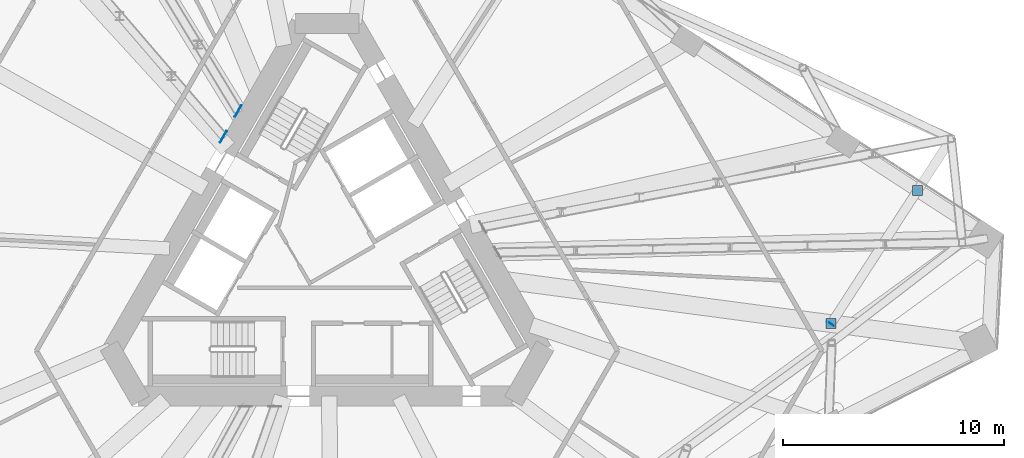
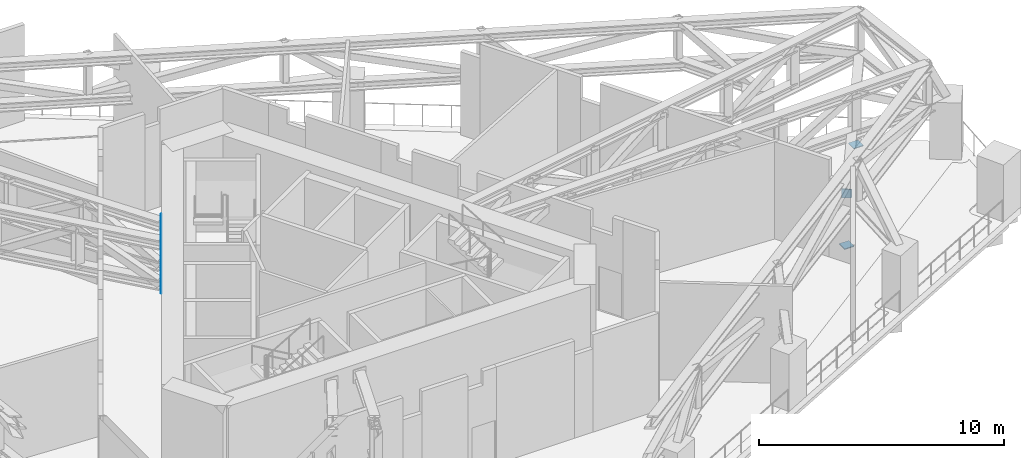
# One storey, part 20 of 26: 7 discrete accessories.
"""IFC4 building model written with IfcOpenShell, lengths in metres."""

from ifc_helpers import new_model, si_unit, direction, frame, origin, origin_2d, place, context, subcontext, project, spatial, rectangle, extrude, material, layer, layer_set, type_object, element, save


model = new_model("IFC4")

# Units and contexts
model_context = context("Model", 3, precision=1e-05, world=origin(), true_north=direction((0.0, 1.0)))
body_context = subcontext(model_context, "Body", "Model", "MODEL_VIEW")
ifc_project = project(units=[si_unit("LENGTHUNIT", "METRE"), si_unit("AREAUNIT", "SQUARE_METRE"), si_unit("VOLUMEUNIT", "CUBIC_METRE"), si_unit("PLANEANGLEUNIT", "RADIAN"), si_unit("MASSUNIT", "GRAM", prefix="KILO")], contexts=[model_context])

# Site, building, storey
site_placement = place(None, origin())
site = spatial("IfcSite", under=ifc_project, at=site_placement, CompositionType="ELEMENT")
building_placement = place(site_placement, origin())
building = spatial("IfcBuilding", under=site, at=building_placement, Name="Tramontana Tower", CompositionType="ELEMENT")
storey_placement = place(building_placement, frame((0.0, 0.0, 157.60009765625)))
storey = spatial("IfcBuildingStorey", under=building, at=storey_placement, Name="L36", CompositionType="ELEMENT", Elevation=157.60009765625)

# Discrete accessories
ifc_material_1 = material(Name="Steel ASTM A572 Grade 50", Category="steel")
ifc_layer_1 = layer(ifc_material_1, 0.0400390625)
ifc_layer_set_1 = layer_set([ifc_layer_1], Name="Base plate 450X450X40")
discrete_accessory_type_1 = type_object("IfcDiscreteAccessoryType", Name="Base plate 450X450X40", PredefinedType="ANCHORPLATE", material=ifc_layer_set_1)
for number, where, z_axis, x_axis, name in (
    (1, (26.68896484375, 2.997802734375, 0.0), (0.0, 0.0, 1.0), (1.0, 0.0, 0.0), "Transfer truss post base plate C4K5.1"),
    (2, (22.779541015625, -3.02197265625, 0.0), (0.0, 0.0, 1.0), (1.0, 0.0, 0.0), "Transfer truss post base plate C4K5.2"),
):
    element("IfcDiscreteAccessory", number, at=place(storey_placement, frame(where, z_axis=z_axis, x_axis=x_axis)), inside=storey, type_object=discrete_accessory_type_1, Name=name, PredefinedType="ANCHORPLATE", context=body_context, shape_type="SweptSolid", body=[
        extrude(rectangle(XDim=0.449951171875, YDim=0.449951171875, at=origin_2d()), origin(), (0.0, 0.0, 1.0), 0.0400390625),
    ])
ifc_material_2 = material(Name="Steel ASTM A572 Grade 50", Category="steel")
ifc_layer_2 = layer(ifc_material_2, 0.0400390625)
ifc_layer_set_2 = layer_set([ifc_layer_2], Name="Cast-in plate 600X650X40")
discrete_accessory_type_2 = type_object("IfcDiscreteAccessoryType", Name="Cast-in plate 600X650X40", PredefinedType="ANCHORPLATE", material=ifc_layer_set_2)
for number, where, z_axis, x_axis, name in (
    (3, (-4.013916015625, 6.58740234375, 2.29248046875), (0.0, 0.0, 1.0), (-0.5, -0.866025403784, 0.0), "Cast-in plate Transfer truss 5 bottom chord"),
    (4, (-4.013916015625, 6.58740234375, 4.307373046875), (0.0, 0.0, 1.0), (-0.5, -0.866025403784, 0.0), "Cast-in plate Transfer truss 5 top chord"),
    (5, (-4.68212890625, 5.430419921875, 2.29248046875), (0.0, 0.0, 1.0), (-0.5, -0.866025403784, 0.0), "Cast-in plate Transfer truss 6 bottom chord"),
    (6, (-4.68212890625, 5.430419921875, 4.307373046875), (0.0, 0.0, 1.0), (-0.5, -0.866025403784, 0.0), "Cast-in plate Transfer truss 6 top chord"),
):
    element("IfcDiscreteAccessory", number, at=place(storey_placement, frame(where, z_axis=z_axis, x_axis=x_axis)), inside=storey, type_object=discrete_accessory_type_2, Name=name, PredefinedType="ANCHORPLATE", context=body_context, shape_type="SweptSolid", body=[
        extrude(rectangle(XDim=0.60009765625, YDim=0.0400390625, at=origin_2d()), origin(), (0.0, 0.0, 1.0), 0.64990234375),
    ])
ifc_material_3 = material(Name="Steel ASTM A572 Grade 50", Category="steel")
ifc_layer_3 = layer(ifc_material_3, 0.0400390625)
ifc_layer_set_3 = layer_set([ifc_layer_3], Name="End plate 413X435X40")
discrete_accessory_type_3 = type_object("IfcDiscreteAccessoryType", Name="End plate 413X435X40", PredefinedType="ANCHORPLATE", material=ifc_layer_set_3)
discrete_accessory_placement = place(storey_placement, frame((22.768798828125, -3.038818359375, 2.39990234375), z_axis=(0.0, 0.0, 1.0), x_axis=(-0.838670567945, 0.544639035015, 0.0)))
element("IfcDiscreteAccessory", 7, at=discrete_accessory_placement, inside=storey, type_object=discrete_accessory_type_3, Name="Transfer truss girder end plate C4K5.2", PredefinedType="ANCHORPLATE", context=body_context, shape_type="SweptSolid", body=[
    extrude(rectangle(XDim=0.412841796875, YDim=0.0400390625, at=origin_2d()), origin(), (0.0, 0.0, 1.0), 0.43505859375),
])

save(model, "model.ifc")
